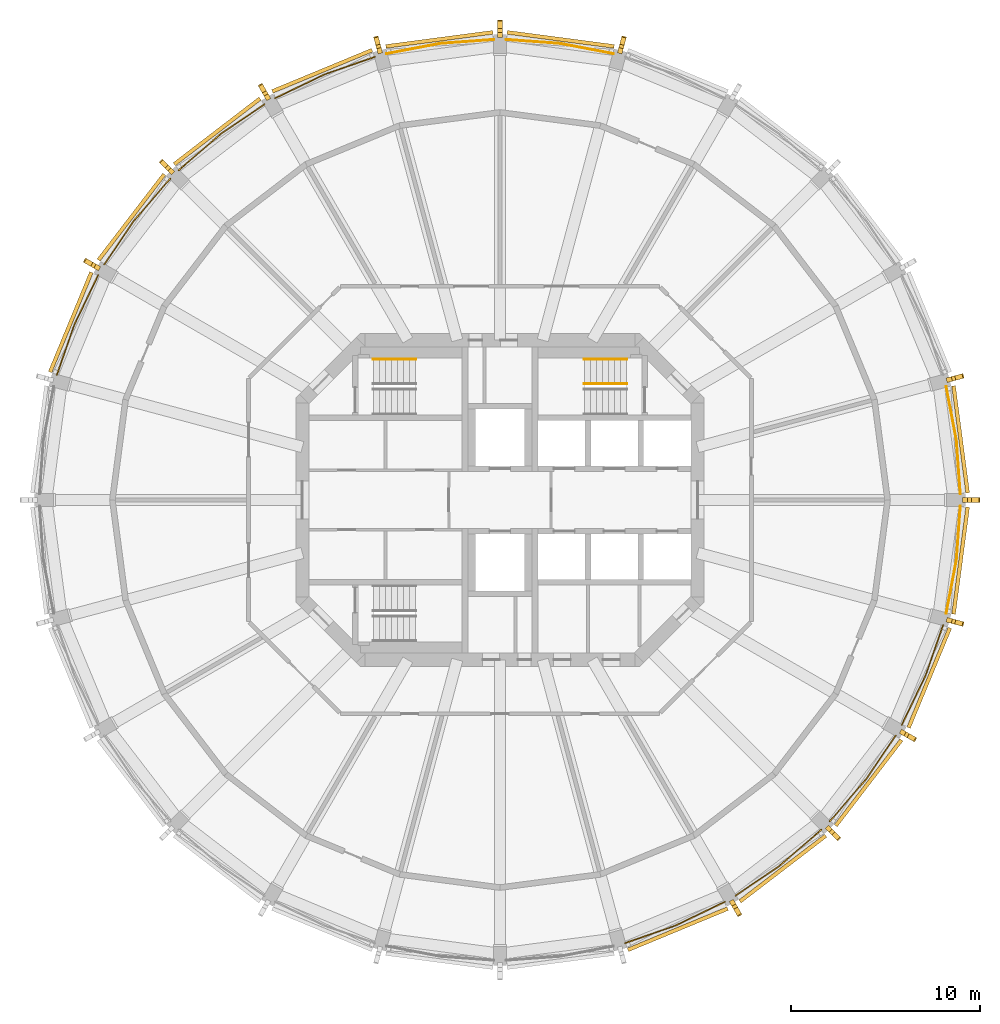
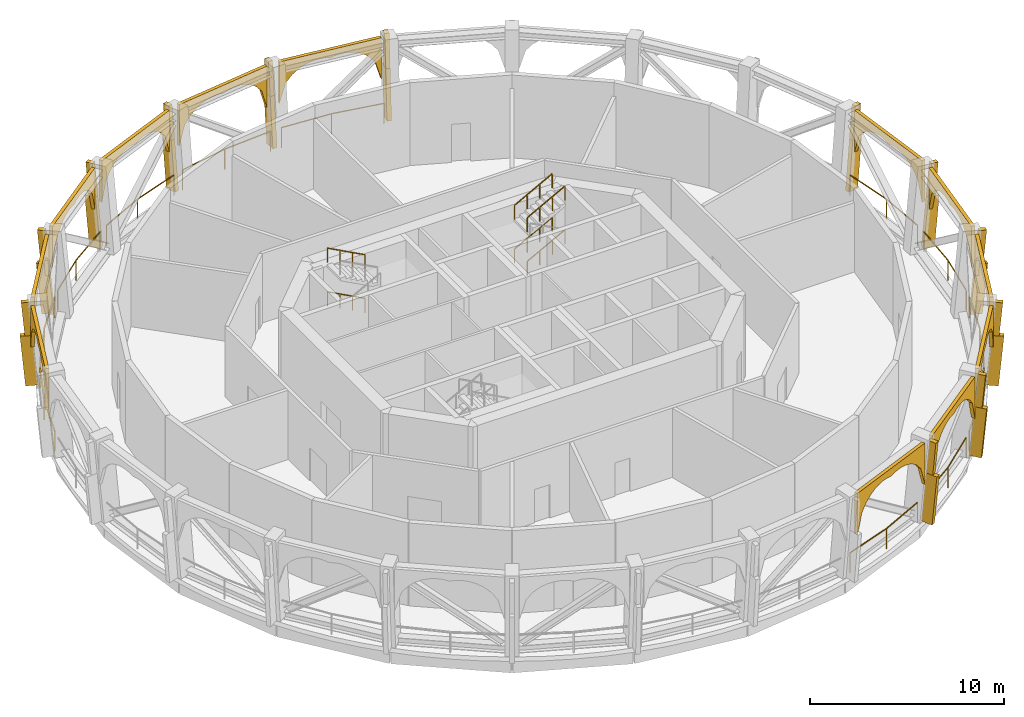
# One storey, part 8 of 9: 36 coverings, 18 railings.
"""IFC4 building model written with IfcOpenShell, lengths in metres."""

from ifc_helpers import new_model, si_unit, direction, frame, origin, origin_2d, place, context, subcontext, project, spatial, polyline, rectangle, outline, extrude, material, layer, layer_set, material_profile, profile_set, type_object, element, save


model = new_model("IFC4")

# Units and contexts
model_context = context("Model", 3, precision=1e-05, world=origin(), true_north=direction((0.0, 1.0)))
body_context = subcontext(model_context, "Body", "Model", "MODEL_VIEW")
ifc_project = project(units=[si_unit("LENGTHUNIT", "METRE"), si_unit("AREAUNIT", "SQUARE_METRE"), si_unit("VOLUMEUNIT", "CUBIC_METRE"), si_unit("PLANEANGLEUNIT", "RADIAN"), si_unit("MASSUNIT", "GRAM", prefix="KILO")], contexts=[model_context])

# Site, building, storey
site_placement = place(None, origin())
site = spatial("IfcSite", under=ifc_project, at=site_placement, CompositionType="ELEMENT")
building_placement = place(site_placement, origin())
building = spatial("IfcBuilding", under=site, at=building_placement, Name="Torre Triforio", CompositionType="ELEMENT")
storey_placement = place(building_placement, frame((0.0, 0.0, 248.300048828125)))
storey = spatial("IfcBuildingStorey", under=building, at=storey_placement, Name="L57", CompositionType="ELEMENT", Elevation=248.300048828125)

# Railings
ifc_material_1 = material(Name="Stainless steel AISI 316", Category="steel")
railing_type_1 = type_object("IfcRailingType", Name="HANDRAIL 920", PredefinedType="HANDRAIL", material=ifc_material_1)
for number, where, name in (
    (1, (-4.4599609375, 7.449951171875, 1.546875), "Handrail ST1"),
    (2, (-4.4599609375, 7.449951171875, 4.296875), "Handrail ST1"),
):
    element("IfcRailing", number, at=place(storey_placement, frame(where)), inside=storey, type_object=railing_type_1, Name=name, PredefinedType="HANDRAIL", context=body_context, shape_type="SweptSolid", body=[
        extrude(rectangle(XDim=0.048095703125, YDim=0.048095703125, at=origin_2d()), frame((0.0, 0.0, 0.89599609375), z_axis=(-0.880967005, 0.0, 0.473177700342), x_axis=(0.0, -1.0, 0.0)), (0.0, 0.0, 1.0), 2.542724609375),
        extrude(rectangle(XDim=0.0419921875, YDim=0.0419921875, at=origin_2d()), origin(), (0.0, 0.0, 1.0), 0.871826171875),
        extrude(rectangle(XDim=0.0419921875, YDim=0.0419921875, at=origin_2d()), frame((-0.74658203125, 0.0, 0.401123046875)), (0.0, 0.0, 1.0), 0.871826171875),
        extrude(rectangle(XDim=0.0419921875, YDim=0.0419921875, at=origin_2d()), frame((-1.493408203125, 0.0, 0.802001953125)), (0.0, 0.0, 1.0), 0.871826171875),
        extrude(rectangle(XDim=0.0419921875, YDim=0.0419921875, at=origin_2d()), frame((-2.239990234375, 0.0, 1.203125)), (0.0, 0.0, 1.0), 0.871826171875),
    ])
for number, where, name in (
    (3, (4.4599609375, 7.449951171875, 1.546875), "Handrail ST2"),
    (4, (4.4599609375, 6.14990234375, 1.546875), "Handrail ST2"),
    (5, (4.4599609375, 7.449951171875, 4.296875), "Handrail ST2"),
    (6, (4.4599609375, 6.14990234375, 4.296875), "Handrail ST2"),
):
    element("IfcRailing", number, at=place(storey_placement, frame(where)), inside=storey, type_object=railing_type_1, Name=name, PredefinedType="HANDRAIL", context=body_context, shape_type="SweptSolid", body=[
        extrude(rectangle(XDim=0.048095703125, YDim=0.048095703125, at=origin_2d()), frame((0.0, 0.0, 0.89599609375), z_axis=(0.880967005, 0.0, 0.473177700342), x_axis=(0.0, 1.0, 0.0)), (0.0, 0.0, 1.0), 2.542724609375),
        extrude(rectangle(XDim=0.0419921875, YDim=0.0419921875, at=origin_2d()), origin(), (0.0, 0.0, 1.0), 0.871826171875),
        extrude(rectangle(XDim=0.0419921875, YDim=0.0419921875, at=origin_2d()), frame((0.74658203125, 0.0, 0.401123046875)), (0.0, 0.0, 1.0), 0.871826171875),
        extrude(rectangle(XDim=0.0419921875, YDim=0.0419921875, at=origin_2d()), frame((1.493408203125, 0.0, 0.802001953125)), (0.0, 0.0, 1.0), 0.871826171875),
        extrude(rectangle(XDim=0.0419921875, YDim=0.0419921875, at=origin_2d()), frame((2.239990234375, 0.0, 1.203125)), (0.0, 0.0, 1.0), 0.871826171875),
    ])

# Coverings
ifc_material_2 = material(Name="Limestone arch panel", Category="masonry")
ifc_layer = layer(ifc_material_2, 0.199951171875)
ifc_layer_set = layer_set([ifc_layer], Name="Limestone arch panel")
covering_type_1 = type_object("IfcCoveringType", Name="Lancet arch cladding panel 200", PredefinedType="CLADDING", material=ifc_layer_set)
for number, where, z_axis, x_axis, name in (
    (7, (24.262939453125, 3.1943359375, 0.0), (0.991429342672, 0.130644014367, 0.0), (-0.130644014367, 0.991429342672, 0.0), "Lancet arch panel L57 bay 01"),
    (8, (3.1943359375, 24.262939453125, 0.0), (0.130644014367, 0.991429342672, 0.0), (-0.991429342672, 0.130644014367, 0.0), "Lancet arch panel L57 bay 06"),
    (9, (-3.1943359375, 24.262939453125, 0.0), (-0.130644014367, 0.991429342672, 0.0), (-0.991429342672, -0.130644014367, 0.0), "Lancet arch panel L57 bay 07"),
):
    element("IfcCovering", number, at=place(storey_placement, frame(where, z_axis=z_axis, x_axis=x_axis)), inside=storey, type_object=covering_type_1, Name=name, PredefinedType="CLADDING", context=body_context, shape_type="SweptSolid", body=[
        extrude(outline(polyline([(-2.8544921875, 5.219970703125), (-2.8544921875, 2.60009765625), (-2.497802734375, 3.805419921875), (-2.140869140625, 4.228271484375), (-1.7841796875, 4.49609375), (-1.42724609375, 4.669921875), (-1.0703125, 4.772216796875), (-0.713623046875, 4.813232421875), (-0.356689453125, 4.79638671875), (0.0, 4.719970703125), (0.356689453125, 4.79638671875), (0.713623046875, 4.813232421875), (1.0703125, 4.772216796875), (1.42724609375, 4.669921875), (1.7841796875, 4.49609375), (2.140869140625, 4.228271484375), (2.497802734375, 3.805419921875), (2.8544921875, 2.60009765625), (2.8544921875, 5.219970703125), (-2.8544921875, 5.219970703125)])), origin(), (0.0, 0.0, 1.0), 0.199951171875),
    ])
covering_1_placement = place(storey_placement, frame((-9.365234375, 22.609619140625, 0.0), z_axis=(-0.382531695295, 0.923942369466, 0.0), x_axis=(-0.923942369466, -0.382531695295, 0.0)))
element("IfcCovering", 10, at=covering_1_placement, inside=storey, type_object=covering_type_1, Name="Lancet arch panel L57 bay 08", PredefinedType="CLADDING", context=body_context, shape_type="SweptSolid", body=[
    extrude(outline(polyline([(-2.8544921875, 5.219970703125), (-2.8544921875, 2.60009765625), (-2.497802734375, 3.805419921875), (-2.140869140625, 4.228271484375), (-1.7841796875, 4.49609375), (-1.42724609375, 4.669921875), (-1.0703125, 4.772216796875), (-0.713623046875, 4.813232421875), (-0.356689453125, 4.79638671875), (0.0, 4.719970703125), (0.356689453125, 4.79638671875), (0.713623046875, 4.813232421875), (1.0703125, 4.772216796875), (1.42724609375, 4.669921875), (1.7841796875, 4.49609375), (2.140869140625, 4.228271484375), (2.497802734375, 3.805419921875), (2.8544921875, 2.60009765625), (2.8544921875, 5.219970703125), (-2.8544921875, 5.219970703125)])), origin(), (0.0, 0.0, 1.0), 0.19970703125),
])
for number, where, z_axis, x_axis, name in (
    (11, (-14.89794921875, 19.415283203125, 0.0), (-0.60817512943, 0.793802879778, 0.0), (-0.793802879778, -0.60817512943, 0.0), "Lancet arch panel L57 bay 09"),
    (12, (-19.415283203125, 14.89794921875, 0.0), (-0.793802879778, 0.60817512943, 0.0), (-0.60817512943, -0.793802879778, 0.0), "Lancet arch panel L57 bay 10"),
):
    element("IfcCovering", number, at=place(storey_placement, frame(where, z_axis=z_axis, x_axis=x_axis)), inside=storey, type_object=covering_type_1, Name=name, PredefinedType="CLADDING", context=body_context, shape_type="SweptSolid", body=[
        extrude(outline(polyline([(-2.8544921875, 5.219970703125), (-2.8544921875, 2.60009765625), (-2.497802734375, 3.805419921875), (-2.140869140625, 4.228271484375), (-1.7841796875, 4.49609375), (-1.42724609375, 4.669921875), (-1.0703125, 4.772216796875), (-0.713623046875, 4.813232421875), (-0.356689453125, 4.79638671875), (0.0, 4.719970703125), (0.356689453125, 4.79638671875), (0.713623046875, 4.813232421875), (1.0703125, 4.772216796875), (1.42724609375, 4.669921875), (1.7841796875, 4.49609375), (2.140869140625, 4.228271484375), (2.497802734375, 3.805419921875), (2.8544921875, 2.60009765625), (2.8544921875, 5.219970703125), (-2.8544921875, 5.219970703125)])), origin(), (0.0, 0.0, 1.0), 0.199951171875),
    ])
for number, where, z_axis, x_axis, name in (
    (13, (-22.609619140625, 9.365234375, 0.0), (-0.923942369466, 0.382531695295, 0.0), (-0.382531695295, -0.923942369466, 0.0), "Lancet arch panel L57 bay 11"),
    (14, (9.365234375, -22.609619140625, 0.0), (0.382531695295, -0.923942369466, 0.0), (0.923942369466, 0.382531695295, 0.0), "Lancet arch panel L57 bay 20"),
):
    element("IfcCovering", number, at=place(storey_placement, frame(where, z_axis=z_axis, x_axis=x_axis)), inside=storey, type_object=covering_type_1, Name=name, PredefinedType="CLADDING", context=body_context, shape_type="SweptSolid", body=[
        extrude(outline(polyline([(-2.8544921875, 5.219970703125), (-2.8544921875, 2.60009765625), (-2.497802734375, 3.805419921875), (-2.140869140625, 4.228271484375), (-1.7841796875, 4.49609375), (-1.42724609375, 4.669921875), (-1.0703125, 4.772216796875), (-0.713623046875, 4.813232421875), (-0.356689453125, 4.79638671875), (0.0, 4.719970703125), (0.356689453125, 4.79638671875), (0.713623046875, 4.813232421875), (1.0703125, 4.772216796875), (1.42724609375, 4.669921875), (1.7841796875, 4.49609375), (2.140869140625, 4.228271484375), (2.497802734375, 3.805419921875), (2.8544921875, 2.60009765625), (2.8544921875, 5.219970703125), (-2.8544921875, 5.219970703125)])), origin(), (0.0, 0.0, 1.0), 0.19970703125),
    ])
for number, where, z_axis, x_axis, name in (
    (15, (14.89794921875, -19.415283203125, 0.0), (0.60817512943, -0.793802879778, 0.0), (0.793802879778, 0.60817512943, 0.0), "Lancet arch panel L57 bay 21"),
    (16, (19.415283203125, -14.89794921875, 0.0), (0.793802879778, -0.60817512943, 0.0), (0.60817512943, 0.793802879778, 0.0), "Lancet arch panel L57 bay 22"),
):
    element("IfcCovering", number, at=place(storey_placement, frame(where, z_axis=z_axis, x_axis=x_axis)), inside=storey, type_object=covering_type_1, Name=name, PredefinedType="CLADDING", context=body_context, shape_type="SweptSolid", body=[
        extrude(outline(polyline([(-2.8544921875, 5.219970703125), (-2.8544921875, 2.60009765625), (-2.497802734375, 3.805419921875), (-2.140869140625, 4.228271484375), (-1.7841796875, 4.49609375), (-1.42724609375, 4.669921875), (-1.0703125, 4.772216796875), (-0.713623046875, 4.813232421875), (-0.356689453125, 4.79638671875), (0.0, 4.719970703125), (0.356689453125, 4.79638671875), (0.713623046875, 4.813232421875), (1.0703125, 4.772216796875), (1.42724609375, 4.669921875), (1.7841796875, 4.49609375), (2.140869140625, 4.228271484375), (2.497802734375, 3.805419921875), (2.8544921875, 2.60009765625), (2.8544921875, 5.219970703125), (-2.8544921875, 5.219970703125)])), origin(), (0.0, 0.0, 1.0), 0.199951171875),
    ])
covering_2_placement = place(storey_placement, frame((22.609619140625, -9.365234375, 0.0), z_axis=(0.923942369466, -0.382531695295, 0.0), x_axis=(0.382531695295, 0.923942369466, 0.0)))
element("IfcCovering", 17, at=covering_2_placement, inside=storey, type_object=covering_type_1, Name="Lancet arch panel L57 bay 23", PredefinedType="CLADDING", context=body_context, shape_type="SweptSolid", body=[
    extrude(outline(polyline([(-2.8544921875, 5.219970703125), (-2.8544921875, 2.60009765625), (-2.497802734375, 3.805419921875), (-2.140869140625, 4.228271484375), (-1.7841796875, 4.49609375), (-1.42724609375, 4.669921875), (-1.0703125, 4.772216796875), (-0.713623046875, 4.813232421875), (-0.356689453125, 4.79638671875), (0.0, 4.719970703125), (0.356689453125, 4.79638671875), (0.713623046875, 4.813232421875), (1.0703125, 4.772216796875), (1.42724609375, 4.669921875), (1.7841796875, 4.49609375), (2.140869140625, 4.228271484375), (2.497802734375, 3.805419921875), (2.8544921875, 2.60009765625), (2.8544921875, 5.219970703125), (-2.8544921875, 5.219970703125)])), origin(), (0.0, 0.0, 1.0), 0.19970703125),
])
covering_3_placement = place(storey_placement, frame((24.262939453125, -3.1943359375, 0.0), z_axis=(0.991429342672, -0.130644014367, 0.0), x_axis=(0.130644014367, 0.991429342672, 0.0)))
element("IfcCovering", 18, at=covering_3_placement, inside=storey, type_object=covering_type_1, Name="Lancet arch panel L57 bay 24", PredefinedType="CLADDING", context=body_context, shape_type="SweptSolid", body=[
    extrude(outline(polyline([(-2.8544921875, 5.219970703125), (-2.8544921875, 2.60009765625), (-2.497802734375, 3.805419921875), (-2.140869140625, 4.228271484375), (-1.7841796875, 4.49609375), (-1.42724609375, 4.669921875), (-1.0703125, 4.772216796875), (-0.713623046875, 4.813232421875), (-0.356689453125, 4.79638671875), (0.0, 4.719970703125), (0.356689453125, 4.79638671875), (0.713623046875, 4.813232421875), (1.0703125, 4.772216796875), (1.42724609375, 4.669921875), (1.7841796875, 4.49609375), (2.140869140625, 4.228271484375), (2.497802734375, 3.805419921875), (2.8544921875, 2.60009765625), (2.8544921875, 5.219970703125), (-2.8544921875, 5.219970703125)])), origin(), (0.0, 0.0, 1.0), 0.199951171875),
])

# Railings
railing_type_2 = type_object("IfcRailingType", Name="Loggia guard 1300", PredefinedType="GUARDRAIL", material=ifc_material_1)
railing_1_placement = place(storey_placement, frame((24.35009765625, 0.320068359375, 0.0)))
element("IfcRailing", 19, at=railing_1_placement, inside=storey, type_object=railing_type_2, Name="Loggia guard L57 bay 01", PredefinedType="GUARDRAIL", context=body_context, shape_type="SweptSolid", body=[
    extrude(rectangle(XDim=0.050048828125, YDim=0.050048828125, at=origin_2d()), frame((0.0, 0.0, 1.27490234375), z_axis=(-0.072754488601, 0.997349880628, 0.0), x_axis=(-0.997349880628, -0.072754488601, 0.0)), (0.0, 0.0, 1.0), 2.86572265625),
    extrude(rectangle(XDim=0.050048828125, YDim=0.050048828125, at=origin_2d()), frame((-0.20849609375, 2.858154296875, 1.27490234375), z_axis=(-0.187918414449, 0.982184641252, 0.0), x_axis=(-0.982184641252, -0.187918414449, 0.0)), (0.0, 0.0, 1.0), 2.865966796875),
    extrude(rectangle(XDim=0.0400390625, YDim=0.0400390625, at=origin_2d()), origin(), (0.0, 0.0, 1.0), 1.25),
    extrude(rectangle(XDim=0.0400390625, YDim=0.0400390625, at=origin_2d()), frame((-0.20849609375, 2.858154296875, 0.0)), (0.0, 0.0, 1.0), 1.25),
    extrude(rectangle(XDim=0.0400390625, YDim=0.0400390625, at=origin_2d()), frame((-0.7470703125, 5.673095703125, 0.0)), (0.0, 0.0, 1.0), 1.25),
])
railing_2_placement = place(storey_placement, frame((5.9931640625, 23.60302734375, 0.0)))
element("IfcRailing", 20, at=railing_2_placement, inside=storey, type_object=railing_type_2, Name="Loggia guard L57 bay 06", PredefinedType="GUARDRAIL", context=body_context, shape_type="SweptSolid", body=[
    extrude(rectangle(XDim=0.050048828125, YDim=0.050048828125, at=origin_2d()), frame((0.0, 0.0, 1.27490234375), z_axis=(-0.982184641252, 0.187918414449, 0.0), x_axis=(-0.187918414449, -0.982184641252, 0.0)), (0.0, 0.0, 1.0), 2.865966796875),
    extrude(rectangle(XDim=0.050048828125, YDim=0.050048828125, at=origin_2d()), frame((-2.81494140625, 0.53857421875, 1.27490234375), z_axis=(-0.997349880628, 0.072754488601, 0.0), x_axis=(-0.072754488601, -0.997349880628, 0.0)), (0.0, 0.0, 1.0), 2.86572265625),
    extrude(rectangle(XDim=0.0400390625, YDim=0.0400390625, at=origin_2d()), origin(), (0.0, 0.0, 1.0), 1.25),
    extrude(rectangle(XDim=0.0400390625, YDim=0.0400390625, at=origin_2d()), frame((-2.81494140625, 0.53857421875, 0.0)), (0.0, 0.0, 1.0), 1.25),
    extrude(rectangle(XDim=0.0400390625, YDim=0.0400390625, at=origin_2d()), frame((-5.673095703125, 0.7470703125, 0.0)), (0.0, 0.0, 1.0), 1.25),
])
railing_3_placement = place(storey_placement, frame((-0.320068359375, 24.35009765625, 0.0)))
element("IfcRailing", 21, at=railing_3_placement, inside=storey, type_object=railing_type_2, Name="Loggia guard L57 bay 07", PredefinedType="GUARDRAIL", context=body_context, shape_type="SweptSolid", body=[
    extrude(rectangle(XDim=0.050048828125, YDim=0.050048828125, at=origin_2d()), frame((0.0, 0.0, 1.27490234375), z_axis=(-0.997349880628, -0.072754488601, 0.0), x_axis=(0.072754488601, -0.997349880628, 0.0)), (0.0, 0.0, 1.0), 2.86572265625),
    extrude(rectangle(XDim=0.050048828125, YDim=0.050048828125, at=origin_2d()), frame((-2.858154296875, -0.20849609375, 1.27490234375), z_axis=(-0.982184641252, -0.187918414449, 0.0), x_axis=(0.187918414449, -0.982184641252, 0.0)), (0.0, 0.0, 1.0), 2.865966796875),
    extrude(rectangle(XDim=0.0400390625, YDim=0.0400390625, at=origin_2d()), origin(), (0.0, 0.0, 1.0), 1.25),
    extrude(rectangle(XDim=0.0400390625, YDim=0.0400390625, at=origin_2d()), frame((-2.858154296875, -0.20849609375, 0.0)), (0.0, 0.0, 1.0), 1.25),
    extrude(rectangle(XDim=0.0400390625, YDim=0.0400390625, at=origin_2d()), frame((-5.673095703125, -0.7470703125, 0.0)), (0.0, 0.0, 1.0), 1.25),
])
railing_4_placement = place(storey_placement, frame((-6.611328125, 23.4375, 0.0)))
element("IfcRailing", 22, at=railing_4_placement, inside=storey, type_object=railing_type_2, Name="Loggia guard L57 bay 08", PredefinedType="GUARDRAIL", context=body_context, shape_type="SweptSolid", body=[
    extrude(rectangle(XDim=0.050048828125, YDim=0.050048828125, at=origin_2d()), frame((0.0, 0.0, 1.27490234375), z_axis=(-0.944568028123, -0.328315763022, 0.0), x_axis=(0.328315763022, -0.944568028123, 0.0)), (0.0, 0.0, 1.0), 2.865966796875),
    extrude(rectangle(XDim=0.050048828125, YDim=0.050048828125, at=origin_2d()), frame((-2.70703125, -0.94091796875, 1.27490234375), z_axis=(-0.900078431046, -0.435727917358, 0.0), x_axis=(0.435727917358, -0.900078431046, 0.0)), (0.0, 0.0, 1.0), 2.865966796875),
    extrude(rectangle(XDim=0.0400390625, YDim=0.0400390625, at=origin_2d()), origin(), (0.0, 0.0, 1.0), 1.25),
    extrude(rectangle(XDim=0.0400390625, YDim=0.0400390625, at=origin_2d()), frame((-2.70703125, -0.94091796875, 0.0)), (0.0, 0.0, 1.0), 1.25),
    extrude(rectangle(XDim=0.0400390625, YDim=0.0400390625, at=origin_2d()), frame((-5.28662109375, -2.189697265625, 0.0)), (0.0, 0.0, 1.0), 1.25),
])
railing_5_placement = place(storey_placement, frame((-12.4521484375, 20.927734375, 0.0)))
element("IfcRailing", 23, at=railing_5_placement, inside=storey, type_object=railing_type_2, Name="Loggia guard L57 bay 09", PredefinedType="GUARDRAIL", context=body_context, shape_type="SweptSolid", body=[
    extrude(rectangle(XDim=0.050048828125, YDim=0.050048828125, at=origin_2d()), frame((0.0, 0.0, 1.27490234375), z_axis=(-0.827368322727, -0.561659735558, 0.0), x_axis=(0.561659735558, -0.827368322727, 0.0)), (0.0, 0.0, 1.0), 2.86572265625),
    extrude(rectangle(XDim=0.050048828125, YDim=0.050048828125, at=origin_2d()), frame((-2.37109375, -1.609619140625, 1.27490234375), z_axis=(-0.756646755422, -0.653823896404, 0.0), x_axis=(0.653823896404, -0.756646755422, 0.0)), (0.0, 0.0, 1.0), 2.865966796875),
    extrude(rectangle(XDim=0.0400390625, YDim=0.0400390625, at=origin_2d()), origin(), (0.0, 0.0, 1.0), 1.25),
    extrude(rectangle(XDim=0.0400390625, YDim=0.0400390625, at=origin_2d()), frame((-2.37109375, -1.609619140625, 0.0)), (0.0, 0.0, 1.0), 1.25),
    extrude(rectangle(XDim=0.0400390625, YDim=0.0400390625, at=origin_2d()), frame((-4.53955078125, -3.4833984375, 0.0)), (0.0, 0.0, 1.0), 1.25),
])
railing_6_placement = place(storey_placement, frame((-17.4443359375, 16.99169921875, 0.0)))
element("IfcRailing", 24, at=railing_6_placement, inside=storey, type_object=railing_type_2, Name="Loggia guard L57 bay 10", PredefinedType="GUARDRAIL", context=body_context, shape_type="SweptSolid", body=[
    extrude(rectangle(XDim=0.050048828125, YDim=0.050048828125, at=origin_2d()), frame((0.0, 0.0, 1.27490234375), z_axis=(-0.653823896404, -0.756646755422, 0.0), x_axis=(0.756646755422, -0.653823896404, 0.0)), (0.0, 0.0, 1.0), 2.865966796875),
    extrude(rectangle(XDim=0.050048828125, YDim=0.050048828125, at=origin_2d()), frame((-1.873779296875, -2.16845703125, 1.27490234375), z_axis=(-0.561659735558, -0.827368322727, 0.0), x_axis=(0.827368322727, -0.561659735558, 0.0)), (0.0, 0.0, 1.0), 2.86572265625),
    extrude(rectangle(XDim=0.0400390625, YDim=0.0400390625, at=origin_2d()), origin(), (0.0, 0.0, 1.0), 1.25),
    extrude(rectangle(XDim=0.0400390625, YDim=0.0400390625, at=origin_2d()), frame((-1.873779296875, -2.16845703125, 0.0)), (0.0, 0.0, 1.0), 1.25),
    extrude(rectangle(XDim=0.0400390625, YDim=0.0400390625, at=origin_2d()), frame((-3.4833984375, -4.53955078125, 0.0)), (0.0, 0.0, 1.0), 1.25),
])
railing_7_placement = place(storey_placement, frame((-21.247802734375, 11.89794921875, 0.0)))
element("IfcRailing", 25, at=railing_7_placement, inside=storey, type_object=railing_type_2, Name="Loggia guard L57 bay 11", PredefinedType="GUARDRAIL", context=body_context, shape_type="SweptSolid", body=[
    extrude(rectangle(XDim=0.050048828125, YDim=0.050048828125, at=origin_2d()), frame((0.0, 0.0, 1.27490234375), z_axis=(-0.435727917358, -0.900078431046, 0.0), x_axis=(0.900078431046, -0.435727917358, 0.0)), (0.0, 0.0, 1.0), 2.865966796875),
    extrude(rectangle(XDim=0.050048828125, YDim=0.050048828125, at=origin_2d()), frame((-1.248779296875, -2.57958984375, 1.27490234375), z_axis=(-0.328315763022, -0.944568028123, 0.0), x_axis=(0.944568028123, -0.328315763022, 0.0)), (0.0, 0.0, 1.0), 2.865966796875),
    extrude(rectangle(XDim=0.0400390625, YDim=0.0400390625, at=origin_2d()), origin(), (0.0, 0.0, 1.0), 1.25),
    extrude(rectangle(XDim=0.0400390625, YDim=0.0400390625, at=origin_2d()), frame((-1.248779296875, -2.57958984375, 0.0)), (0.0, 0.0, 1.0), 1.25),
    extrude(rectangle(XDim=0.0400390625, YDim=0.0400390625, at=origin_2d()), frame((-2.189697265625, -5.28662109375, 0.0)), (0.0, 0.0, 1.0), 1.25),
])
railing_8_placement = place(storey_placement, frame((6.611328125, -23.4375, 0.0)))
element("IfcRailing", 26, at=railing_8_placement, inside=storey, type_object=railing_type_2, Name="Loggia guard L57 bay 20", PredefinedType="GUARDRAIL", context=body_context, shape_type="SweptSolid", body=[
    extrude(rectangle(XDim=0.050048828125, YDim=0.050048828125, at=origin_2d()), frame((0.0, 0.0, 1.27490234375), z_axis=(0.944568028123, 0.328315763022, 0.0), x_axis=(-0.328315763022, 0.944568028123, 0.0)), (0.0, 0.0, 1.0), 2.865966796875),
    extrude(rectangle(XDim=0.050048828125, YDim=0.050048828125, at=origin_2d()), frame((2.70703125, 0.94091796875, 1.27490234375), z_axis=(0.900078431046, 0.435727917358, 0.0), x_axis=(-0.435727917358, 0.900078431046, 0.0)), (0.0, 0.0, 1.0), 2.865966796875),
    extrude(rectangle(XDim=0.0400390625, YDim=0.0400390625, at=origin_2d()), origin(), (0.0, 0.0, 1.0), 1.25),
    extrude(rectangle(XDim=0.0400390625, YDim=0.0400390625, at=origin_2d()), frame((2.70703125, 0.94091796875, 0.0)), (0.0, 0.0, 1.0), 1.25),
    extrude(rectangle(XDim=0.0400390625, YDim=0.0400390625, at=origin_2d()), frame((5.28662109375, 2.189697265625, 0.0)), (0.0, 0.0, 1.0), 1.25),
])
railing_9_placement = place(storey_placement, frame((12.4521484375, -20.927734375, 0.0)))
element("IfcRailing", 27, at=railing_9_placement, inside=storey, type_object=railing_type_2, Name="Loggia guard L57 bay 21", PredefinedType="GUARDRAIL", context=body_context, shape_type="SweptSolid", body=[
    extrude(rectangle(XDim=0.050048828125, YDim=0.050048828125, at=origin_2d()), frame((0.0, 0.0, 1.27490234375), z_axis=(0.827368322727, 0.561659735558, 0.0), x_axis=(-0.561659735558, 0.827368322727, 0.0)), (0.0, 0.0, 1.0), 2.86572265625),
    extrude(rectangle(XDim=0.050048828125, YDim=0.050048828125, at=origin_2d()), frame((2.37109375, 1.609619140625, 1.27490234375), z_axis=(0.756646755422, 0.653823896404, 0.0), x_axis=(-0.653823896404, 0.756646755422, 0.0)), (0.0, 0.0, 1.0), 2.865966796875),
    extrude(rectangle(XDim=0.0400390625, YDim=0.0400390625, at=origin_2d()), origin(), (0.0, 0.0, 1.0), 1.25),
    extrude(rectangle(XDim=0.0400390625, YDim=0.0400390625, at=origin_2d()), frame((2.37109375, 1.609619140625, 0.0)), (0.0, 0.0, 1.0), 1.25),
    extrude(rectangle(XDim=0.0400390625, YDim=0.0400390625, at=origin_2d()), frame((4.53955078125, 3.4833984375, 0.0)), (0.0, 0.0, 1.0), 1.25),
])
railing_10_placement = place(storey_placement, frame((17.4443359375, -16.99169921875, 0.0)))
element("IfcRailing", 28, at=railing_10_placement, inside=storey, type_object=railing_type_2, Name="Loggia guard L57 bay 22", PredefinedType="GUARDRAIL", context=body_context, shape_type="SweptSolid", body=[
    extrude(rectangle(XDim=0.050048828125, YDim=0.050048828125, at=origin_2d()), frame((0.0, 0.0, 1.27490234375), z_axis=(0.653823896404, 0.756646755422, 0.0), x_axis=(-0.756646755422, 0.653823896404, 0.0)), (0.0, 0.0, 1.0), 2.865966796875),
    extrude(rectangle(XDim=0.050048828125, YDim=0.050048828125, at=origin_2d()), frame((1.873779296875, 2.16845703125, 1.27490234375), z_axis=(0.561659735558, 0.827368322727, 0.0), x_axis=(-0.827368322727, 0.561659735558, 0.0)), (0.0, 0.0, 1.0), 2.86572265625),
    extrude(rectangle(XDim=0.0400390625, YDim=0.0400390625, at=origin_2d()), origin(), (0.0, 0.0, 1.0), 1.25),
    extrude(rectangle(XDim=0.0400390625, YDim=0.0400390625, at=origin_2d()), frame((1.873779296875, 2.16845703125, 0.0)), (0.0, 0.0, 1.0), 1.25),
    extrude(rectangle(XDim=0.0400390625, YDim=0.0400390625, at=origin_2d()), frame((3.4833984375, 4.53955078125, 0.0)), (0.0, 0.0, 1.0), 1.25),
])
railing_11_placement = place(storey_placement, frame((21.247802734375, -11.89794921875, 0.0)))
element("IfcRailing", 29, at=railing_11_placement, inside=storey, type_object=railing_type_2, Name="Loggia guard L57 bay 23", PredefinedType="GUARDRAIL", context=body_context, shape_type="SweptSolid", body=[
    extrude(rectangle(XDim=0.050048828125, YDim=0.050048828125, at=origin_2d()), frame((0.0, 0.0, 1.27490234375), z_axis=(0.435727917358, 0.900078431046, 0.0), x_axis=(-0.900078431046, 0.435727917358, 0.0)), (0.0, 0.0, 1.0), 2.865966796875),
    extrude(rectangle(XDim=0.050048828125, YDim=0.050048828125, at=origin_2d()), frame((1.248779296875, 2.57958984375, 1.27490234375), z_axis=(0.328315763022, 0.944568028123, 0.0), x_axis=(-0.944568028123, 0.328315763022, 0.0)), (0.0, 0.0, 1.0), 2.865966796875),
    extrude(rectangle(XDim=0.0400390625, YDim=0.0400390625, at=origin_2d()), origin(), (0.0, 0.0, 1.0), 1.25),
    extrude(rectangle(XDim=0.0400390625, YDim=0.0400390625, at=origin_2d()), frame((1.248779296875, 2.57958984375, 0.0)), (0.0, 0.0, 1.0), 1.25),
    extrude(rectangle(XDim=0.0400390625, YDim=0.0400390625, at=origin_2d()), frame((2.189697265625, 5.28662109375, 0.0)), (0.0, 0.0, 1.0), 1.25),
])
railing_12_placement = place(storey_placement, frame((23.60302734375, -5.9931640625, 0.0)))
element("IfcRailing", 30, at=railing_12_placement, inside=storey, type_object=railing_type_2, Name="Loggia guard L57 bay 24", PredefinedType="GUARDRAIL", context=body_context, shape_type="SweptSolid", body=[
    extrude(rectangle(XDim=0.050048828125, YDim=0.050048828125, at=origin_2d()), frame((0.0, 0.0, 1.27490234375), z_axis=(0.187918414449, 0.982184641252, 0.0), x_axis=(-0.982184641252, 0.187918414449, 0.0)), (0.0, 0.0, 1.0), 2.865966796875),
    extrude(rectangle(XDim=0.050048828125, YDim=0.050048828125, at=origin_2d()), frame((0.53857421875, 2.81494140625, 1.27490234375), z_axis=(0.072754488601, 0.997349880628, 0.0), x_axis=(-0.997349880628, 0.072754488601, 0.0)), (0.0, 0.0, 1.0), 2.86572265625),
    extrude(rectangle(XDim=0.0400390625, YDim=0.0400390625, at=origin_2d()), origin(), (0.0, 0.0, 1.0), 1.25),
    extrude(rectangle(XDim=0.0400390625, YDim=0.0400390625, at=origin_2d()), frame((0.53857421875, 2.81494140625, 0.0)), (0.0, 0.0, 1.0), 1.25),
    extrude(rectangle(XDim=0.0400390625, YDim=0.0400390625, at=origin_2d()), frame((0.7470703125, 5.673095703125, 0.0)), (0.0, 0.0, 1.0), 1.25),
])

# Coverings
ifc_material_3 = material(Name="Limestone fin", Category="masonry")
ifc_material_profile_1 = material_profile(ifc_material_3, rectangle(XDim=0.39990234375, YDim=0.25, at=origin_2d()), Name="FIN 400x250")
ifc_profile_set_1 = profile_set([ifc_material_profile_1], Name="Limestone fin")
covering_type_2 = type_object("IfcCoveringType", Name="Stone fin 400 x 250", PredefinedType="CLADDING", material=ifc_profile_set_1)
for number, where, z_axis, x_axis, name in (
    (31, (24.9375, 0.0, 3.1318359375), (0.090472754514, 0.0, 0.995898930962), (-0.995898930962, 0.0, 0.090472754514), "Stone fin C01 L57 upper"),
    (32, (24.087646484375, 6.454345703125, 3.1318359375), (0.08744495323, 0.023404042076, 0.995894387457), (-0.962033677468, -0.257481716606, 0.090522754217), "Stone fin C02 L57 upper"),
    (33, (6.454345703125, 24.087646484375, 3.1318359375), (0.023404042076, 0.08744495323, 0.995894387457), (-0.257481716606, -0.962033677468, 0.090522754217), "Stone fin C06 L57 upper"),
    (34, (0.0, 24.9375, 3.1318359375), (0.0, 0.090472754514, 0.995898930962), (0.0, -0.995898930962, 0.090472754514), "Stone fin C07 L57 upper"),
    (35, (-6.454345703125, 24.087646484375, 3.1318359375), (-0.023404042076, 0.08744495323, 0.995894387457), (0.257481716606, -0.962033677468, 0.090522754217), "Stone fin C08 L57 upper"),
    (36, (-12.46875, 21.596435546875, 3.1318359375), (-0.04529443656, 0.078362868393, 0.995895413622), (0.49837357181, -0.862224714211, 0.090511464059), "Stone fin C09 L57 upper"),
    (37, (-17.63330078125, 17.63330078125, 3.1318359375), (-0.064040651548, 0.064040651548, 0.995890350339), (0.704200820043, -0.704200820043, 0.090567157962), "Stone fin C10 L57 upper"),
    (38, (-21.596435546875, 12.46875, 3.1318359375), (-0.078362868393, 0.04529443656, 0.995895413622), (0.862224714211, -0.49837357181, 0.090511464059), "Stone fin C11 L57 upper"),
    (39, (12.46875, -21.596435546875, 3.1318359375), (0.04529443656, -0.078362868393, 0.995895413622), (-0.49837357181, 0.862224714211, 0.090511464059), "Stone fin C21 L57 upper"),
    (40, (17.63330078125, -17.63330078125, 3.1318359375), (0.064040651548, -0.064040651548, 0.995890350339), (-0.704200820043, 0.704200820043, 0.090567157962), "Stone fin C22 L57 upper"),
    (41, (21.596435546875, -12.46875, 3.1318359375), (0.078362868393, -0.04529443656, 0.995895413622), (-0.862224714211, 0.49837357181, 0.090511464059), "Stone fin C23 L57 upper"),
    (42, (24.087646484375, -6.454345703125, 3.1318359375), (0.08744495323, -0.023404042076, 0.995894387457), (-0.962033677468, 0.257481716606, 0.090522754217), "Stone fin C24 L57 upper"),
):
    element("IfcCovering", number, at=place(storey_placement, frame(where, z_axis=z_axis, x_axis=x_axis)), inside=storey, type_object=covering_type_2, Name=name, PredefinedType="CLADDING", context=body_context, shape_type="SweptSolid", body=[
        extrude(rectangle(XDim=0.39990234375, YDim=0.25, at=origin_2d()), origin(), (0.0, 0.0, 1.0), 2.0966796875),
    ])
ifc_material_profile_2 = material_profile(ifc_material_3, rectangle(XDim=0.64990234375, YDim=0.25, at=origin_2d()), Name="FIN 650x250")
ifc_profile_set_2 = profile_set([ifc_material_profile_2], Name="Limestone fin")
covering_type_3 = type_object("IfcCoveringType", Name="Stone fin 650 x 250", PredefinedType="CLADDING", material=ifc_profile_set_2)
for number, where, z_axis, x_axis, name in (
    (43, (24.7783203125, 0.0, 0.0), (0.090521746382, 0.0, 0.995894479065), (-0.995894479065, 0.0, 0.090521746382), "Stone fin C01 L57"),
    (44, (23.933837890625, 6.4130859375, 0.0), (0.087493535045, 0.023445472567, 0.99588914601), (-0.961950509459, -0.257772008746, 0.090580399969), "Stone fin C02 L57"),
    (45, (6.4130859375, 23.933837890625, 0.0), (0.023445472567, 0.087493535045, 0.99588914601), (-0.257772008746, -0.961950509459, 0.090580399969), "Stone fin C06 L57"),
    (46, (0.0, 24.7783203125, 0.0), (0.0, 0.090521746382, 0.995894479065), (0.0, -0.995894479065, 0.090521746382), "Stone fin C07 L57"),
    (47, (-6.4130859375, 23.933837890625, 0.0), (-0.023445472567, 0.087493535045, 0.99588914601), (0.257772008746, -0.961950509459, 0.090580399969), "Stone fin C08 L57"),
    (48, (-12.38916015625, 21.45849609375, 0.0), (-0.045260814132, 0.078410672853, 0.995893179556), (0.497867314123, -0.862514557915, 0.090536042066), "Stone fin C09 L57"),
    (49, (-17.520751953125, 17.520751953125, 0.0), (-0.064048078497, 0.064048078497, 0.995889395105), (0.70420014459, -0.70420014459, 0.090577661255), "Stone fin C10 L57"),
    (50, (-21.45849609375, 12.38916015625, 0.0), (-0.078410672853, 0.045260814132, 0.995893179556), (0.862514557915, -0.497867314123, 0.090536042066), "Stone fin C11 L57"),
    (51, (12.38916015625, -21.45849609375, 0.0), (0.045260814132, -0.078410672853, 0.995893179556), (-0.497867314123, 0.862514557915, 0.090536042066), "Stone fin C21 L57"),
    (52, (17.520751953125, -17.520751953125, 0.0), (0.064048078497, -0.064048078497, 0.995889395105), (-0.70420014459, 0.70420014459, 0.090577661255), "Stone fin C22 L57"),
    (53, (21.45849609375, -12.38916015625, 0.0), (0.078410672853, -0.045260814132, 0.995893179556), (-0.862514557915, 0.497867314123, 0.090536042066), "Stone fin C23 L57"),
    (54, (23.933837890625, -6.4130859375, 0.0), (0.087493535045, -0.023445472567, 0.99588914601), (-0.961950509459, 0.257772008746, 0.090580399969), "Stone fin C24 L57"),
):
    element("IfcCovering", number, at=place(storey_placement, frame(where, z_axis=z_axis, x_axis=x_axis)), inside=storey, type_object=covering_type_3, Name=name, PredefinedType="CLADDING", context=body_context, shape_type="SweptSolid", body=[
        extrude(rectangle(XDim=0.64990234375, YDim=0.25, at=origin_2d()), origin(), (0.0, 0.0, 1.0), 3.144775390625),
    ])

save(model, "model.ifc")
